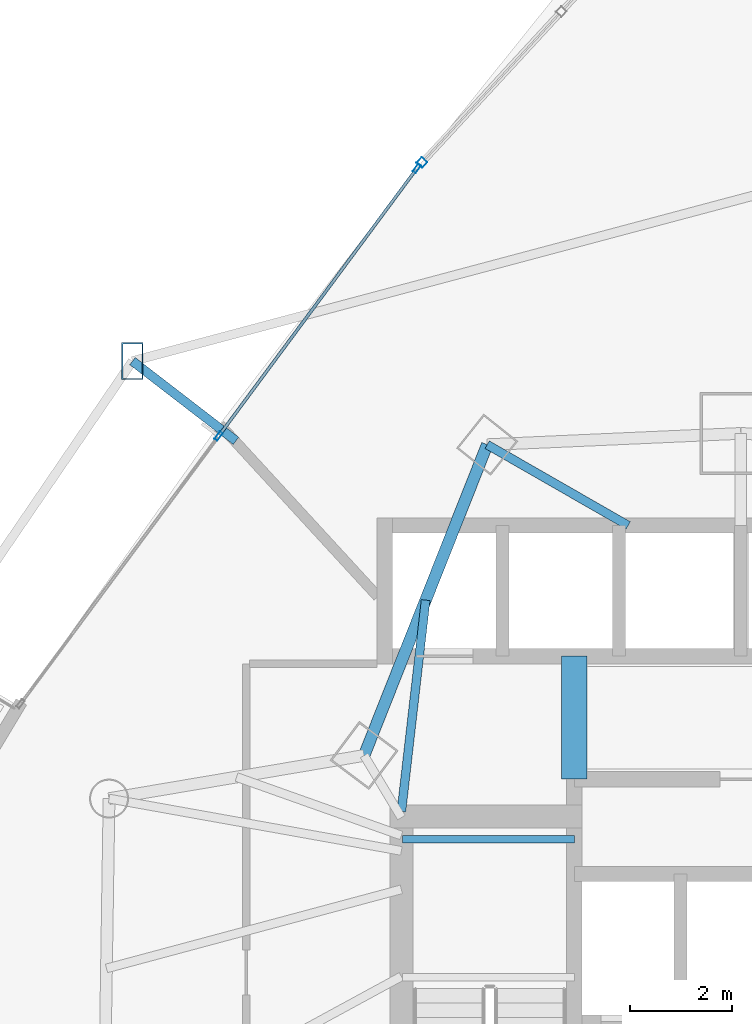
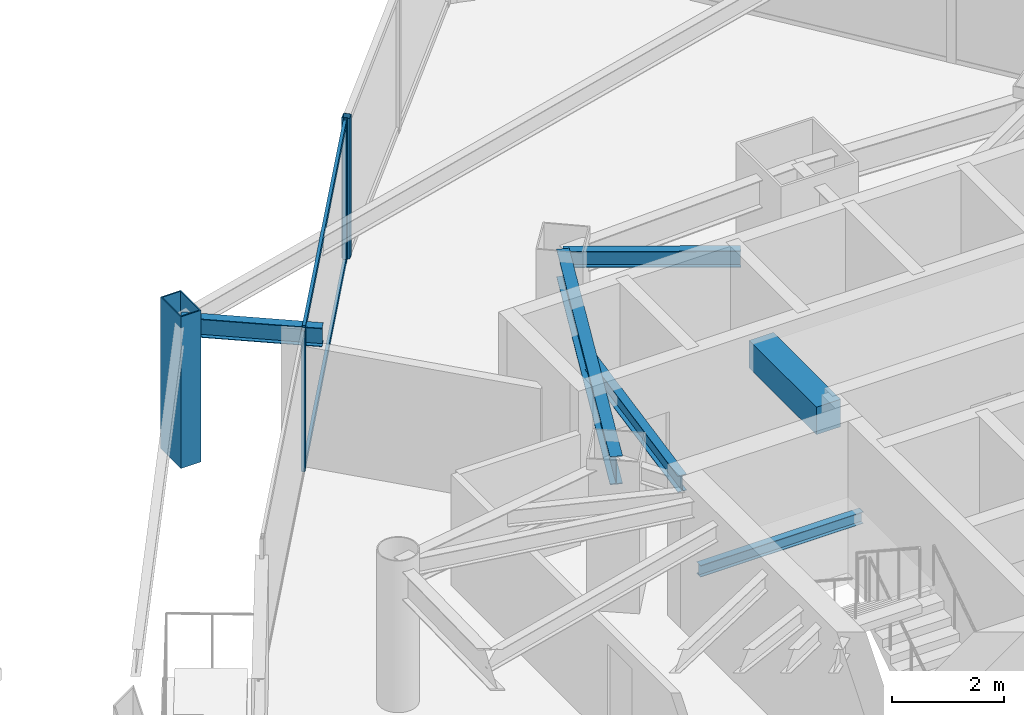
# One storey, part 23 of 35: 6 beams, 6 members, 2 elements without a shape of their own.
"""IFC4 building model written with IfcOpenShell, lengths in metres."""

from ifc_helpers import new_model, si_unit, direction, frame, origin, origin_2d, place, context, subcontext, project, spatial, rectangle, hollow_rectangle, i_section, extrude, material, layer, layer_set, material_profile, profile_set, type_object, element, aggregate, save


model = new_model("IFC4")

# Units and contexts
model_context = context("Model", 3, precision=1e-05, world=origin(), true_north=direction((0.0, 1.0)))
body_context = subcontext(model_context, "Body", "Model", "MODEL_VIEW")
ifc_project = project(units=[si_unit("LENGTHUNIT", "METRE"), si_unit("AREAUNIT", "SQUARE_METRE"), si_unit("VOLUMEUNIT", "CUBIC_METRE"), si_unit("PLANEANGLEUNIT", "RADIAN"), si_unit("MASSUNIT", "GRAM", prefix="KILO")], contexts=[model_context])

# Site, building, storey
site_placement = place(None, origin())
site = spatial("IfcSite", under=ifc_project, at=site_placement, CompositionType="ELEMENT")
building_placement = place(site_placement, origin())
building = spatial("IfcBuilding", under=site, at=building_placement, Name="Orvanel Arch Residences", CompositionType="ELEMENT")
storey_placement = place(building_placement, frame((0.0, 0.0, 26.89990234375)))
storey = spatial("IfcBuildingStorey", under=building, at=storey_placement, Name="L06", CompositionType="ELEMENT", Elevation=26.89990234375)

# Beams
ifc_material_1 = material(Name="Structural steel AS/NZS 3679.1 Grade 300 (300 MPa)", Category="steel")
ifc_material_profile_1 = material_profile(ifc_material_1, i_section(OverallWidth=0.14599609375, OverallDepth=0.251953125, WebThickness=0.006103515625, FlangeThickness=0.008544921875, at=origin_2d()), Name="250UB31.4")
ifc_profile_set_1 = profile_set([ifc_material_profile_1], Name="Structural steel AS/NZS 3679.1 Grade 300 (300 MPa)")
beam_type_1 = type_object("IfcBeamType", Name="BJ-250UB", PredefinedType="JOIST", material=ifc_profile_set_1)
beam_1_placement = place(storey_placement, frame((26.39990234375, 33.47998046875, 1.32421875), z_axis=(1.0, 0.0, 0.0), x_axis=(0.0, 1.0, 0.0)))
element("IfcBeam", 1, at=beam_1_placement, inside=storey, type_object=beam_type_1, Name="L06 ST-1 Half-Landing Support Beam 1.2", PredefinedType="JOIST", context=body_context, shape_type="SweptSolid", body=[
    extrude(i_section(OverallWidth=0.14599609375, OverallDepth=0.251953125, WebThickness=0.006103515625, FlangeThickness=0.008544921875, at=origin_2d()), origin(), (0.0, 0.0, 1.0), 3.35009765625),
])
ifc_material_profile_2 = material_profile(ifc_material_1, i_section(OverallWidth=0.1708984375, OverallDepth=0.35595703125, WebThickness=0.00732421875, FlangeThickness=0.011474609375, at=origin_2d()), Name="360UB50.7")
ifc_profile_set_2 = profile_set([ifc_material_profile_2], Name="Structural steel AS/NZS 3679.1 Grade 300 (300 MPa)")
beam_type_2 = type_object("IfcBeamType", Name="BJ-360UB", PredefinedType="JOIST", material=ifc_profile_set_2)
beam_2_placement = place(storey_placement, frame((26.375, 34.02001953125, 2.882080078125), z_axis=(0.114186670431, 0.993459311847, 0.0), x_axis=(-0.993459311847, 0.114186670431, 0.0)))
element("IfcBeam", 2, at=beam_2_placement, inside=storey, type_object=beam_type_2, Name="L06 NNW2 Wing Floor Joist", PredefinedType="JOIST", context=body_context, shape_type="SweptSolid", body=[
    extrude(i_section(OverallWidth=0.1708984375, OverallDepth=0.35595703125, WebThickness=0.00732421875, FlangeThickness=0.011474609375, at=origin_2d()), origin(), (0.0, 0.0, 1.0), 4.152099609375),
])
beam_3_placement = place(storey_placement, frame((30.800048828125, 39.60009765625, 2.882080078125), z_axis=(-0.86736513383, 0.497672306458, 0.0), x_axis=(-0.497672306458, -0.86736513383, 0.0)))
element("IfcBeam", 3, at=beam_3_placement, inside=storey, type_object=beam_type_2, Name="L06 MNW Wing Floor Joist", PredefinedType="JOIST", context=body_context, shape_type="SweptSolid", body=[
    extrude(i_section(OverallWidth=0.1708984375, OverallDepth=0.35595703125, WebThickness=0.00732421875, FlangeThickness=0.011474609375, at=origin_2d()), origin(), (0.0, 0.0, 1.0), 3.17041015625),
])
ifc_material_2 = material(Name="Concrete S65 (65 MPa)", Category="concrete")
ifc_material_profile_3 = material_profile(ifc_material_2, rectangle(XDim=0.5, YDim=0.60009765625, at=origin_2d()), Name="RC500x600")
ifc_profile_set_3 = profile_set([ifc_material_profile_3], Name="Concrete S65 (65 MPa)")
beam_type_3 = type_object("IfcBeamType", Name="CB-500x600", PredefinedType="LINTEL", material=ifc_profile_set_3)
beam_4_placement = place(storey_placement, frame((29.75, 34.64990234375, 2.760009765625), z_axis=(0.0, 1.0, 0.0), x_axis=(-1.0, 0.0, 0.0)))
element("IfcBeam", 4, at=beam_4_placement, inside=storey, type_object=beam_type_3, Name="L06 West Core Lobby Coupling Lintel Beam", PredefinedType="LINTEL", context=body_context, shape_type="SweptSolid", body=[
    extrude(rectangle(XDim=0.5, YDim=0.60009765625, at=origin_2d()), origin(), (0.0, 0.0, 1.0), 2.400146484375),
])

# Member
ifc_material_3 = material(Name="Structural steel AS/NZS 3678 Grade 350", Category="steel")
ifc_material_profile_4 = material_profile(ifc_material_3, hollow_rectangle(XDim=0.419921875, YDim=0.719970703125, WallThickness=0.02490234375, at=origin_2d()), Name="RHS720x420x25")
ifc_profile_set_4 = profile_set([ifc_material_profile_4], Name="Structural steel AS/NZS 3678 Grade 350")
member_type_1 = type_object("IfcMemberType", Name="CH-720RHS-EXT", PredefinedType="CHORD", material=ifc_profile_set_4)
member_1_placement = place(storey_placement, frame((21.126953125, 42.80908203125, 0.0), z_axis=(0.0, 0.0, 1.0), x_axis=(1.0, 0.0, 0.0)))
element("IfcMember", 5, at=member_1_placement, inside=storey, type_object=member_type_1, Name="L06 Outer Perimeter Frame Post 01", PredefinedType="CHORD", context=body_context, shape_type="SweptSolid", body=[
    extrude(hollow_rectangle(XDim=0.419921875, YDim=0.719970703125, WallThickness=0.02490234375, at=origin_2d()), origin(), (0.0, 0.0, 1.0), 3.300048828125),
])

# Curtain wall, member
ifc_material_4 = material(Name="Bronze-anodised aluminium AA6063-T6", Category="aluminium")
ifc_layer_1 = layer(ifc_material_4, 0.18994140625)
ifc_layer_set_1 = layer_set([ifc_layer_1], Name="Bronze-anodised aluminium AA6063-T6")
curtain_wall_type_1 = type_object("IfcCurtainWallType", Name="CW5-CRN-SYS", PredefinedType="NOTDEFINED", material=ifc_layer_set_1)
curtain_wall_1_placement = place(storey_placement, origin())
curtain_wall_1 = element("IfcCurtainWall", 6, at=curtain_wall_1_placement, inside=storey, type_object=curtain_wall_type_1, Name="L06 CW5-CRN-SYS Unitised Curtain Wall", PredefinedType="NOTDEFINED")
ifc_material_profile_5 = material_profile(ifc_material_4, hollow_rectangle(XDim=0.14990234375, YDim=0.14990234375, WallThickness=0.0048828125, at=origin_2d()), Name="ALU150x150x5")
ifc_profile_set_5 = profile_set([ifc_material_profile_5], Name="Bronze-anodised aluminium AA6063-T6")
member_type_2 = type_object("IfcMemberType", Name="MUL-150x150", PredefinedType="MULLION", material=ifc_profile_set_5)
member_2_placement = place(storey_placement, frame((26.77587890625, 46.68408203125, 0.0), z_axis=(0.0, 0.0, 1.0), x_axis=(0.734704866707, -0.678386879912, 0.0)))
member_2 = element("IfcMember", 7, at=member_2_placement, type_object=member_type_2, Name="CW-S5 mullion 3", PredefinedType="MULLION", context=body_context, shape_type="SweptSolid", body=[
    extrude(hollow_rectangle(XDim=0.14990234375, YDim=0.14990234375, WallThickness=0.0048828125, at=origin_2d()), origin(), (0.0, 0.0, 1.0), 3.06005859375),
])
aggregate(curtain_wall_1, [member_2])

# Curtain wall, members
ifc_layer_2 = layer(ifc_material_4, 0.179931640625)
ifc_layer_set_2 = layer_set([ifc_layer_2], Name="Bronze-anodised aluminium AA6063-T6")
curtain_wall_type_2 = type_object("IfcCurtainWallType", Name="CW2-LOW-SYS", PredefinedType="NOTDEFINED", material=ifc_layer_set_2)
curtain_wall_2_placement = place(storey_placement, origin())
curtain_wall_2 = element("IfcCurtainWall", 8, at=curtain_wall_2_placement, inside=storey, type_object=curtain_wall_type_2, Name="L06 CW2-LOW-SYS Unitised Curtain Wall", PredefinedType="NOTDEFINED")
ifc_material_profile_6 = material_profile(ifc_material_4, hollow_rectangle(XDim=0.070068359375, YDim=0.179931640625, WallThickness=0.00439453125, at=origin_2d()), Name="ALU180x70x4.5")
ifc_profile_set_6 = profile_set([ifc_material_profile_6], Name="Bronze-anodised aluminium AA6063-T6")
member_type_3 = type_object("IfcMemberType", Name="MUL-180x70", PredefinedType="MULLION", material=ifc_profile_set_6)
member_3_placement = place(storey_placement, frame((26.67822265625, 46.56982421875, 0.0), z_axis=(0.0, 0.0, 1.0), x_axis=(0.803638489605, -0.595117785002, 0.0)))
member_3 = element("IfcMember", 9, at=member_3_placement, type_object=member_type_3, Name="CW-S2 mullion 1", PredefinedType="MULLION", context=body_context, shape_type="SweptSolid", body=[
    extrude(hollow_rectangle(XDim=0.070068359375, YDim=0.179931640625, WallThickness=0.00439453125, at=origin_2d()), origin(), (0.0, 0.0, 1.0), 3.06005859375),
])
member_4_placement = place(storey_placement, frame((22.80908203125, 41.344970703125, 0.0), z_axis=(0.0, 0.0, 1.0), x_axis=(0.803638489605, -0.595117785002, 0.0)))
member_4 = element("IfcMember", 10, at=member_4_placement, type_object=member_type_3, Name="CW-S2 mullion 2", PredefinedType="MULLION", context=body_context, shape_type="SweptSolid", body=[
    extrude(hollow_rectangle(XDim=0.070068359375, YDim=0.179931640625, WallThickness=0.00439453125, at=origin_2d()), origin(), (0.0, 0.0, 1.0), 3.06005859375),
])

# Beams
ifc_material_profile_7 = material_profile(ifc_material_1, i_section(OverallWidth=0.177978515625, OverallDepth=0.406005859375, WebThickness=0.0078125, FlangeThickness=0.0126953125, at=origin_2d()), Name="410UB59.7")
ifc_profile_set_7 = profile_set([ifc_material_profile_7], Name="Structural steel AS/NZS 3679.1 Grade 300 (300 MPa)")
beam_type_4 = type_object("IfcBeamType", Name="OB-410UB-EXT", PredefinedType="SPANDREL", material=ifc_profile_set_7)
beam_5_placement = place(storey_placement, frame((23.14697265625, 41.251953125, 2.857177734375), z_axis=(-0.792004411618, 0.610515365881, 0.0), x_axis=(-0.610515365881, -0.792004411618, 0.0)))
element("IfcBeam", 11, at=beam_5_placement, inside=storey, type_object=beam_type_4, Name="L06 Outer Frame Radial Tie Beam 01", PredefinedType="SPANDREL", context=body_context, shape_type="SweptSolid", body=[
    extrude(i_section(OverallWidth=0.177978515625, OverallDepth=0.406005859375, WebThickness=0.0078125, FlangeThickness=0.0126953125, at=origin_2d()), origin(), (0.0, 0.0, 1.0), 2.550537109375),
])
ifc_material_profile_8 = material_profile(ifc_material_1, i_section(OverallWidth=0.22900390625, OverallDepth=0.612060546875, WebThickness=0.011962890625, FlangeThickness=0.01953125, at=origin_2d()), Name="610UB125")
ifc_profile_set_8 = profile_set([ifc_material_profile_8], Name="Structural steel AS/NZS 3679.1 Grade 300 (300 MPa)")
beam_type_5 = type_object("IfcBeamType", Name="SP-610UB", PredefinedType="SPANDREL", material=ifc_profile_set_8)
beam_6_placement = place(storey_placement, frame((28.050048828125, 41.177978515625, 2.754150390625), z_axis=(-0.368233143579, -0.929733484376, 0.0), x_axis=(0.929733484376, -0.368233143579, 0.0)))
element("IfcBeam", 12, at=beam_6_placement, inside=storey, type_object=beam_type_5, Name="L06 Perimeter Spandrel Beam 18", PredefinedType="SPANDREL", context=body_context, shape_type="SweptSolid", body=[
    extrude(i_section(OverallWidth=0.22900390625, OverallDepth=0.612060546875, WebThickness=0.011962890625, FlangeThickness=0.01953125, at=origin_2d()), origin(), (0.0, 0.0, 1.0), 6.523193359375),
])

# Member
ifc_material_profile_9 = material_profile(ifc_material_4, hollow_rectangle(XDim=0.06005859375, YDim=0.135009765625, WallThickness=0.00390625, at=origin_2d()), Name="ALU135x60x4")
ifc_profile_set_9 = profile_set([ifc_material_profile_9], Name="Bronze-anodised aluminium AA6063-T6")
member_type_4 = type_object("IfcMemberType", Name="TRN-135x60", PredefinedType="USERDEFINED", material=ifc_profile_set_9)
member_5_placement = place(storey_placement, frame((26.6572265625, 46.541748046875, 0.030029296875), z_axis=(-0.595099541417, -0.803651999192, 0.0), x_axis=(0.803651999192, -0.595099541417, 0.0)))
member_5 = element("IfcMember", 13, at=member_5_placement, type_object=member_type_4, Name="CW-S2 transom 1.1", ObjectType="TRANSOM", PredefinedType="USERDEFINED", context=body_context, shape_type="SweptSolid", body=[
    extrude(hollow_rectangle(XDim=0.06005859375, YDim=0.135009765625, WallThickness=0.00390625, at=origin_2d()), origin(), (0.0, 0.0, 1.0), 6.431396484375),
])

member_6_placement = place(storey_placement, frame((26.6572265625, 46.541748046875, 3.030029296875), z_axis=(-0.595099541417, -0.803651999192, 0.0), x_axis=(0.803651999192, -0.595099541417, 0.0)))
member_6 = element("IfcMember", 14, at=member_6_placement, type_object=member_type_4, Name="CW-S2 transom 1.2", ObjectType="TRANSOM", PredefinedType="USERDEFINED", context=body_context, shape_type="SweptSolid", body=[
    extrude(hollow_rectangle(XDim=0.06005859375, YDim=0.135009765625, WallThickness=0.00390625, at=origin_2d()), origin(), (0.0, 0.0, 1.0), 6.431396484375),
])

aggregate(curtain_wall_2, [member_3, member_4, member_5, member_6])

save(model, "model.ifc")
